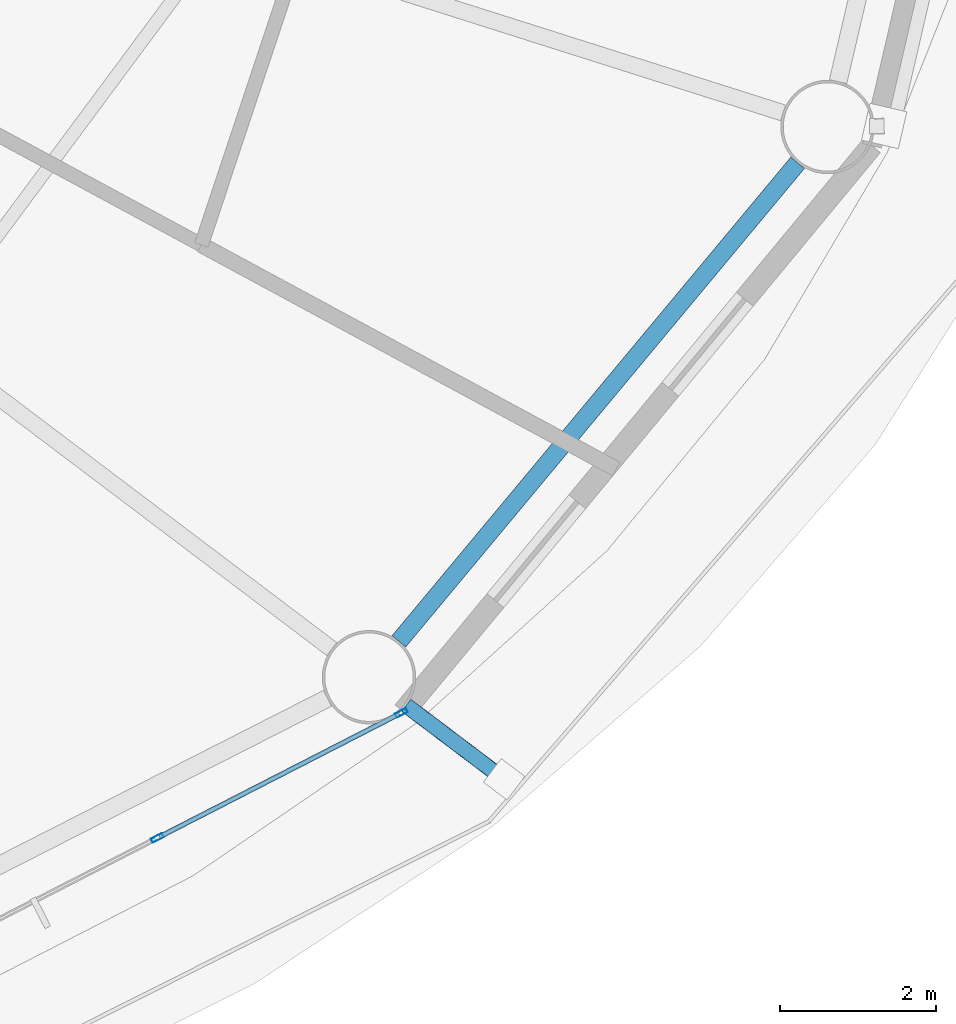
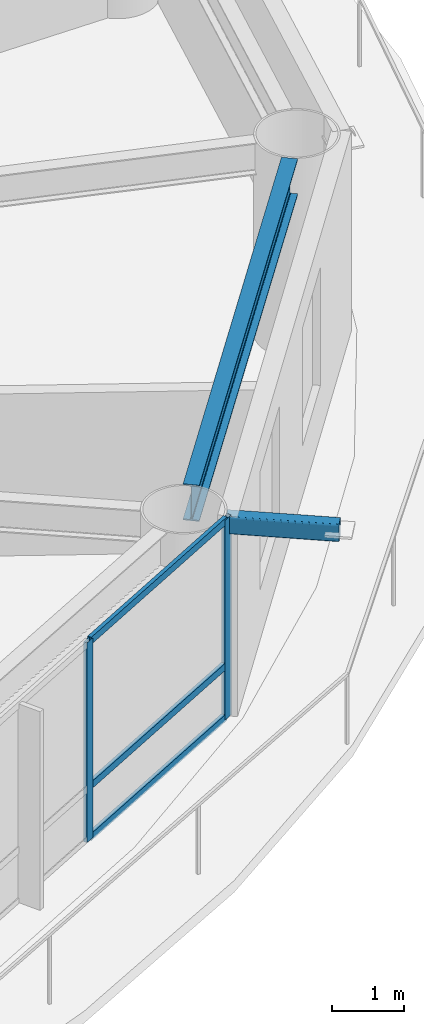
# One storey, part 6 of 24: 6 members, 1 beam, 1 element without a shape of its own.
"""IFC4 building model written with IfcOpenShell, lengths in metres."""

from ifc_helpers import new_model, si_unit, direction, frame, origin, origin_2d, place, context, subcontext, project, spatial, hollow_rectangle, i_section, extrude, material, layer, layer_set, material_profile, profile_set, type_object, element, aggregate, save


model = new_model("IFC4")

# Units and contexts
model_context = context("Model", 3, precision=1e-05, world=origin(), true_north=direction((0.0, 1.0)))
body_context = subcontext(model_context, "Body", "Model", "MODEL_VIEW")
ifc_project = project(units=[si_unit("LENGTHUNIT", "METRE"), si_unit("AREAUNIT", "SQUARE_METRE"), si_unit("VOLUMEUNIT", "CUBIC_METRE"), si_unit("PLANEANGLEUNIT", "RADIAN"), si_unit("MASSUNIT", "GRAM", prefix="KILO")], contexts=[model_context])

# Site, building, storey
site_placement = place(None, origin())
site = spatial("IfcSite", under=ifc_project, at=site_placement, CompositionType="ELEMENT")
building_placement = place(site_placement, origin())
building = spatial("IfcBuilding", under=site, at=building_placement, Name="Sarneth Arch Tower", CompositionType="ELEMENT")
storey_placement = place(building_placement, frame((0.0, 0.0, 109.199951171875)))
storey = spatial("IfcBuildingStorey", under=building, at=storey_placement, Name="L27", CompositionType="ELEMENT", Elevation=109.199951171875)

# Beam
ifc_material_1 = material(Name="Steel S355", Category="steel")
ifc_material_profile_1 = material_profile(ifc_material_1, i_section(OverallWidth=0.22900390625, OverallDepth=0.612060546875, WebThickness=0.011962890625, FlangeThickness=0.01953125, FilletRadius=0.01904296875, at=origin_2d()), Name="W610x125")
ifc_profile_set_1 = profile_set([ifc_material_profile_1], Name="Steel S355")
beam_type = type_object("IfcBeamType", Name="BM-SPAN-610C", PredefinedType="SPANDREL", material=ifc_profile_set_1)
beam_placement = place(storey_placement, frame((68.78173828125, 27.0458984375, 3.073974609375), z_axis=(0.640163403463, 0.768238775946, 0.0), x_axis=(-0.768238775946, 0.640163403463, 0.0)))
element("IfcBeam", 1, at=beam_placement, inside=storey, type_object=beam_type, Name="L27 Perimeter spandrel beam 15", PredefinedType="SPANDREL", context=body_context, shape_type="SweptSolid", body=[
    extrude(i_section(OverallWidth=0.22900390625, OverallDepth=0.612060546875, WebThickness=0.011962890625, FlangeThickness=0.01953125, FilletRadius=0.01904296875, at=origin_2d()), origin(), (0.0, 0.0, 1.0), 8.006103515625),
])

# Curtain wall, members
ifc_material_2 = material(Name="Anodised aluminium Type AA25 and solar-control low-e laminated IGU", Category="aluminium")
ifc_layer = layer(ifc_material_2, 0.159912109375)
ifc_layer_set = layer_set([ifc_layer], Name="Anodised aluminium Type AA25 and solar-control low-e laminated IGU")
curtain_wall_type = type_object("IfcCurtainWallType", Name="CW-HOTEL-MID", PredefinedType="NOTDEFINED", material=ifc_layer_set)
curtain_wall_placement = place(storey_placement, origin())
curtain_wall = element("IfcCurtainWall", 2, at=curtain_wall_placement, inside=storey, type_object=curtain_wall_type, Name="L27 Unitised curtain wall facet 14", PredefinedType="NOTDEFINED")
ifc_material_3 = material(Name="Anodised Aluminium 6063-T6", Category="aluminium")
ifc_material_profile_2 = material_profile(ifc_material_3, hollow_rectangle(XDim=0.06005859375, YDim=0.159912109375, WallThickness=0.00390625, at=origin_2d()), Name="AL-MULL-160x60x4")
ifc_profile_set_2 = profile_set([ifc_material_profile_2], Name="Anodised Aluminium 6063-T6")
member_type_1 = type_object("IfcMemberType", Name="CW-MULLION", PredefinedType="MULLION", material=ifc_profile_set_2)
member_1_placement = place(storey_placement, frame((65.677001953125, 24.518798828125, 0.0), z_axis=(0.0, 0.0, 1.0), x_axis=(-0.456031365356, 0.889963703649, 0.0)))
member_1 = element("IfcMember", 3, at=member_1_placement, type_object=member_type_1, Name="CW-SYS-4 mullion 3", PredefinedType="MULLION", context=body_context, shape_type="SweptSolid", body=[
    extrude(hollow_rectangle(XDim=0.06005859375, YDim=0.159912109375, WallThickness=0.00390625, at=origin_2d()), origin(), (0.0, 0.0, 1.0), 3.380126953125),
])
member_2_placement = place(storey_placement, frame((68.813232421875, 26.1259765625, 0.0), z_axis=(0.0, 0.0, 1.0), x_axis=(-0.456031365356, 0.889963703649, 0.0)))
member_2 = element("IfcMember", 4, at=member_2_placement, type_object=member_type_1, Name="CW-SYS-4 mullion 4", PredefinedType="MULLION", context=body_context, shape_type="SweptSolid", body=[
    extrude(hollow_rectangle(XDim=0.06005859375, YDim=0.159912109375, WallThickness=0.00390625, at=origin_2d()), origin(), (0.0, 0.0, 1.0), 3.380126953125),
])
ifc_material_4 = material(Name="Anodised Aluminium 6063-T6", Category="aluminium")
ifc_material_profile_3 = material_profile(ifc_material_4, hollow_rectangle(XDim=0.06005859375, YDim=0.1201171875, WallThickness=0.00390625, at=origin_2d()), Name="AL-TRAN-120x60x4")
ifc_profile_set_3 = profile_set([ifc_material_profile_3], Name="Anodised Aluminium 6063-T6")
member_type_2 = type_object("IfcMemberType", Name="CW-TRANSOM", PredefinedType="USERDEFINED", material=ifc_profile_set_3)
member_3_placement = place(storey_placement, frame((65.703857421875, 24.532470703125, 0.030029296875), z_axis=(0.889942905184, 0.456071952122, 0.0), x_axis=(-0.456071952122, 0.889942905184, 0.0)))
member_3 = element("IfcMember", 5, at=member_3_placement, type_object=member_type_2, Name="CW-SYS-4 transom 3.1", ObjectType="TRANSOM", PredefinedType="USERDEFINED", context=body_context, shape_type="SweptSolid", body=[
    extrude(hollow_rectangle(XDim=0.06005859375, YDim=0.1201171875, WallThickness=0.00390625, at=origin_2d()), origin(), (0.0, 0.0, 1.0), 3.464111328125),
])
member_4_placement = place(storey_placement, frame((65.703857421875, 24.532470703125, 0.900146484375), z_axis=(0.889942905184, 0.456071952122, 0.0), x_axis=(-0.456071952122, 0.889942905184, 0.0)))
member_4 = element("IfcMember", 6, at=member_4_placement, type_object=member_type_2, Name="CW-SYS-4 transom 3.2", ObjectType="TRANSOM", PredefinedType="USERDEFINED", context=body_context, shape_type="SweptSolid", body=[
    extrude(hollow_rectangle(XDim=0.06005859375, YDim=0.1201171875, WallThickness=0.00390625, at=origin_2d()), origin(), (0.0, 0.0, 1.0), 3.464111328125),
])
member_5_placement = place(storey_placement, frame((65.703857421875, 24.532470703125, 3.35009765625), z_axis=(0.889942905184, 0.456071952122, 0.0), x_axis=(-0.456071952122, 0.889942905184, 0.0)))
member_5 = element("IfcMember", 7, at=member_5_placement, type_object=member_type_2, Name="CW-SYS-4 transom 3.3", ObjectType="TRANSOM", PredefinedType="USERDEFINED", context=body_context, shape_type="SweptSolid", body=[
    extrude(hollow_rectangle(XDim=0.06005859375, YDim=0.1201171875, WallThickness=0.00390625, at=origin_2d()), origin(), (0.0, 0.0, 1.0), 3.464111328125),
])
aggregate(curtain_wall, [member_1, member_2, member_3, member_4, member_5])

# Member
ifc_material_5 = material(Name="Steel S355", Category="steel")
ifc_material_profile_4 = material_profile(ifc_material_5, hollow_rectangle(XDim=0.199951171875, YDim=0.300048828125, WallThickness=0.012451171875, InnerFilletRadius=0.018798828125, OuterFilletRadius=0.03125, at=origin_2d()), Name="RHS300x200x12.5")
ifc_profile_set_4 = profile_set([ifc_material_profile_4], Name="Steel S355")
member_type_3 = type_object("IfcMemberType", Name="MEM-CANT-STRUT", PredefinedType="STRUT", material=ifc_profile_set_4)
member_6_placement = place(storey_placement, frame((68.876220703125, 26.223388671875, 3.219970703125), z_axis=(0.797802793909, -0.602918487054, 0.0), x_axis=(0.602918487054, 0.797802793909, 0.0)))
element("IfcMember", 8, at=member_6_placement, inside=storey, type_object=member_type_3, Name="L27 Balcony cantilever bracket 15", PredefinedType="STRUT", context=body_context, shape_type="SweptSolid", body=[
    extrude(hollow_rectangle(XDim=0.199951171875, YDim=0.300048828125, WallThickness=0.012451171875, InnerFilletRadius=0.018798828125, OuterFilletRadius=0.03125, at=origin_2d()), origin(), (0.0, 0.0, 1.0), 1.5771484375),
])

save(model, "model.ifc")
